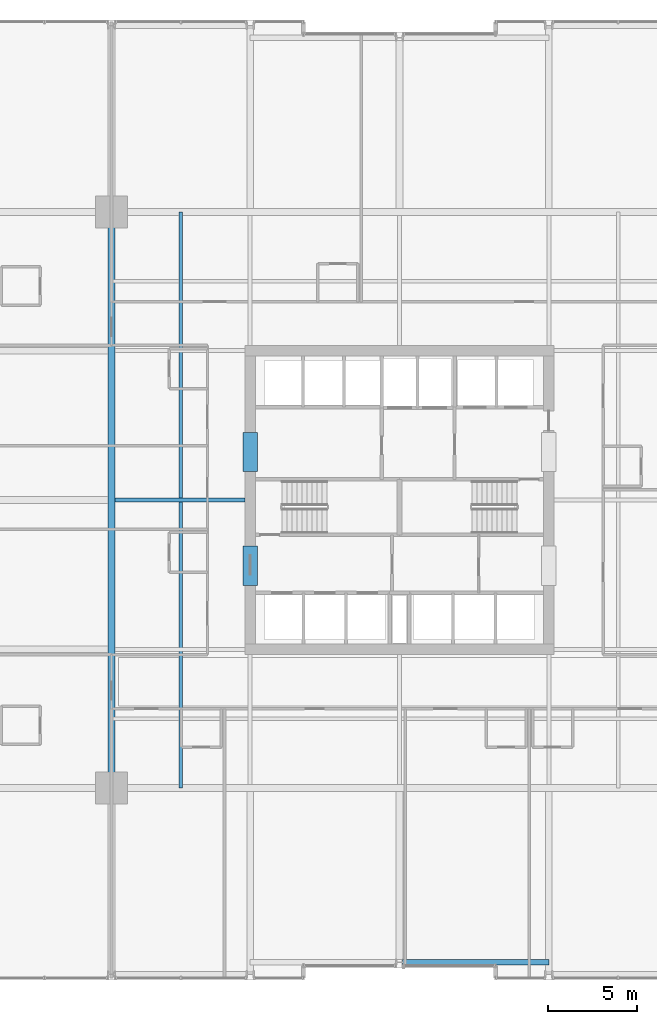
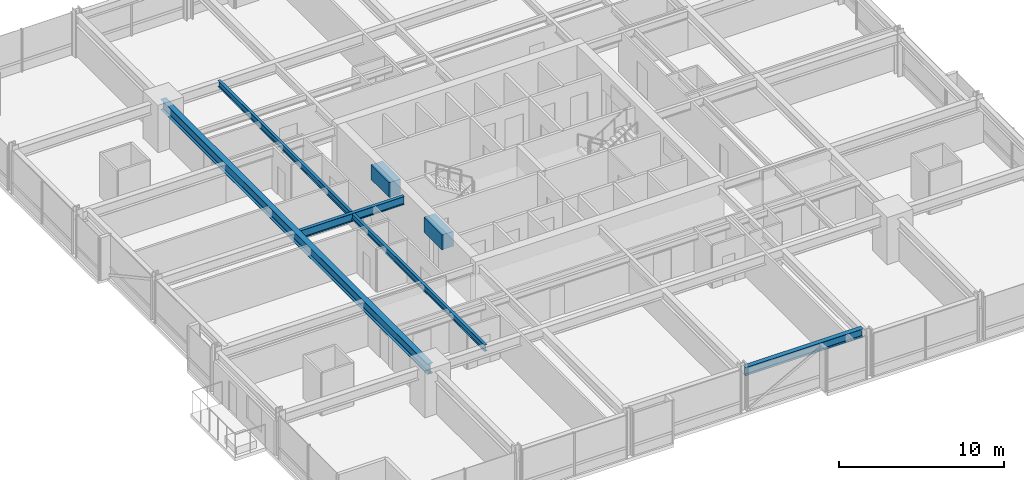
# One storey, part 10 of 37: 6 beams.
"""IFC4 building model written with IfcOpenShell, lengths in metres."""

from ifc_helpers import new_model, si_unit, direction, frame, origin, origin_2d, place, context, subcontext, project, spatial, rectangle, i_section, extrude, material, material_profile, profile_set, type_object, element, save


model = new_model("IFC4")

# Units and contexts
model_context = context("Model", 3, precision=1e-05, world=origin(), true_north=direction((0.0, 1.0)))
body_context = subcontext(model_context, "Body", "Model", "MODEL_VIEW")
ifc_project = project(units=[si_unit("LENGTHUNIT", "METRE"), si_unit("AREAUNIT", "SQUARE_METRE"), si_unit("VOLUMEUNIT", "CUBIC_METRE"), si_unit("PLANEANGLEUNIT", "RADIAN"), si_unit("MASSUNIT", "GRAM", prefix="KILO")], contexts=[model_context])

# Site, building, storey
site_placement = place(None, origin())
site = spatial("IfcSite", under=ifc_project, at=site_placement, CompositionType="ELEMENT")
building_placement = place(site_placement, origin())
building = spatial("IfcBuilding", under=site, at=building_placement, Name="Drelvath Grand Hotel", CompositionType="ELEMENT")
storey_placement = place(building_placement, frame((0.0, 0.0, 78.699951171875)))
storey = spatial("IfcBuildingStorey", under=building, at=storey_placement, Name="L19", CompositionType="ELEMENT", Elevation=78.699951171875)

# Beams
ifc_material_1 = material(Name="Steel ASTM A992 Gr 50", Category="steel")
ifc_material_profile_1 = material_profile(ifc_material_1, i_section(OverallWidth=0.19140625, OverallDepth=0.4599609375, WebThickness=0.010009765625, FlangeThickness=0.01611328125, FilletRadius=0.01611328125, at=origin_2d()), Name="W18X55")
ifc_profile_set_1 = profile_set([ifc_material_profile_1], Name="Steel ASTM A992 Gr 50")
beam_type_1 = type_object("IfcBeamType", Name="Composite Floor Joist W18X55", PredefinedType="JOIST", material=ifc_profile_set_1)
beam_1_placement = place(storey_placement, frame((-12.300048828125, 10.800048828125, 2.949951171875), z_axis=(0.0, 1.0, 0.0), x_axis=(-1.0, 0.0, 0.0)))
element("IfcBeam", 1, at=beam_1_placement, inside=storey, type_object=beam_type_1, Name="L19 Wing Floor Joist J3", PredefinedType="JOIST", context=body_context, shape_type="SweptSolid", body=[
    extrude(i_section(OverallWidth=0.19140625, OverallDepth=0.4599609375, WebThickness=0.010009765625, FlangeThickness=0.01611328125, FilletRadius=0.01611328125, at=origin_2d()), origin(), (0.0, 0.0, 1.0), 32.39990234375),
])
ifc_material_2 = material(Name="Concrete f'c 70 MPa", Category="concrete")
ifc_material_profile_2 = material_profile(ifc_material_2, rectangle(XDim=0.800048828125, YDim=1.10009765625, at=origin_2d()), Name="CB800X1100")
ifc_profile_set_2 = profile_set([ifc_material_profile_2], Name="Concrete f'c 70 MPa")
beam_type_2 = type_object("IfcBeamType", Name="Core Coupling Lintel CB800X1100", PredefinedType="LINTEL", material=ifc_profile_set_2)
for number, where, z_axis, x_axis, name in (
    (2, (-8.39990234375, 22.199951171875, 2.630126953125), (0.0, 1.0, 0.0), (-1.0, 0.0, 0.0), "L19 Core Coupling Lintel WS"),
    (3, (-8.39990234375, 28.60009765625, 2.630126953125), (0.0, 1.0, 0.0), (-1.0, 0.0, 0.0), "L19 Core Coupling Lintel WN"),
):
    element("IfcBeam", number, at=place(storey_placement, frame(where, z_axis=z_axis, x_axis=x_axis)), inside=storey, type_object=beam_type_2, Name=name, PredefinedType="LINTEL", context=body_context, shape_type="SweptSolid", body=[
        extrude(rectangle(XDim=0.800048828125, YDim=1.10009765625, at=origin_2d()), origin(), (0.0, 0.0, 1.0), 2.199951171875),
    ])
ifc_material_profile_3 = material_profile(ifc_material_1, i_section(OverallWidth=0.323974609375, OverallDepth=0.611083984375, WebThickness=0.0126953125, FlangeThickness=0.01904296875, FilletRadius=0.02197265625, at=origin_2d()), Name="W24X104")
ifc_profile_set_3 = profile_set([ifc_material_profile_3], Name="Steel ASTM A992 Gr 50")
beam_type_3 = type_object("IfcBeamType", Name="Perimeter Spandrel Beam W24X104", PredefinedType="SPANDREL", material=ifc_profile_set_3)
beam_2_placement = place(storey_placement, frame((0.139892578125, 1.0, 2.87451171875), z_axis=(1.0, 0.0, 0.0), x_axis=(0.0, 1.0, 0.0)))
element("IfcBeam", 4, at=beam_2_placement, inside=storey, type_object=beam_type_3, Name="L19 Spandrel South Mid E", PredefinedType="SPANDREL", context=body_context, shape_type="SweptSolid", body=[
    extrude(i_section(OverallWidth=0.323974609375, OverallDepth=0.611083984375, WebThickness=0.0126953125, FlangeThickness=0.01904296875, FilletRadius=0.02197265625, at=origin_2d()), origin(), (0.0, 0.0, 1.0), 8.260009765625),
])
ifc_material_profile_4 = material_profile(ifc_material_1, i_section(OverallWidth=0.228271484375, OverallDepth=0.607666015625, WebThickness=0.01123046875, FlangeThickness=0.017333984375, FilletRadius=0.02001953125, at=origin_2d()), Name="W24X76")
ifc_profile_set_4 = profile_set([ifc_material_profile_4], Name="Steel ASTM A992 Gr 50")
beam_type_4 = type_object("IfcBeamType", Name="Primary Floor Girder W24X76", PredefinedType="BEAM", material=ifc_profile_set_4)
beam_3_placement = place(storey_placement, frame((-16.009765625, 27.0, 2.876220703125), z_axis=(1.0, 0.0, 0.0), x_axis=(0.0, 1.0, 0.0)))
element("IfcBeam", 5, at=beam_3_placement, inside=storey, type_object=beam_type_4, Name="L19 West Core Tie E", PredefinedType="BEAM", context=body_context, shape_type="SweptSolid", body=[
    extrude(i_section(OverallWidth=0.228271484375, OverallDepth=0.607666015625, WebThickness=0.01123046875, FlangeThickness=0.017333984375, FilletRadius=0.02001953125, at=origin_2d()), origin(), (0.0, 0.0, 1.0), 7.309814453125),
])
ifc_material_profile_5 = material_profile(ifc_material_1, i_section(OverallWidth=0.380615234375, OverallDepth=0.773193359375, WebThickness=0.0166015625, FlangeThickness=0.027099609375, FilletRadius=0.02490234375, at=origin_2d()), Name="W30X173")
ifc_profile_set_5 = profile_set([ifc_material_profile_5], Name="Steel ASTM A992 Gr 50")
beam_type_5 = type_object("IfcBeamType", Name="Primary Floor Girder W30X173", PredefinedType="BEAM", material=ifc_profile_set_5)
beam_4_placement = place(storey_placement, frame((-16.199951171875, 10.800048828125, 2.79345703125), z_axis=(0.0, 1.0, 0.0), x_axis=(-1.0, 0.0, 0.0)))
element("IfcBeam", 6, at=beam_4_placement, inside=storey, type_object=beam_type_5, Name="L19 Mega Ring Girder West", PredefinedType="BEAM", context=body_context, shape_type="SweptSolid", body=[
    extrude(i_section(OverallWidth=0.380615234375, OverallDepth=0.773193359375, WebThickness=0.0166015625, FlangeThickness=0.027099609375, FilletRadius=0.02490234375, at=origin_2d()), origin(), (0.0, 0.0, 1.0), 32.39990234375),
])

save(model, "model.ifc")
